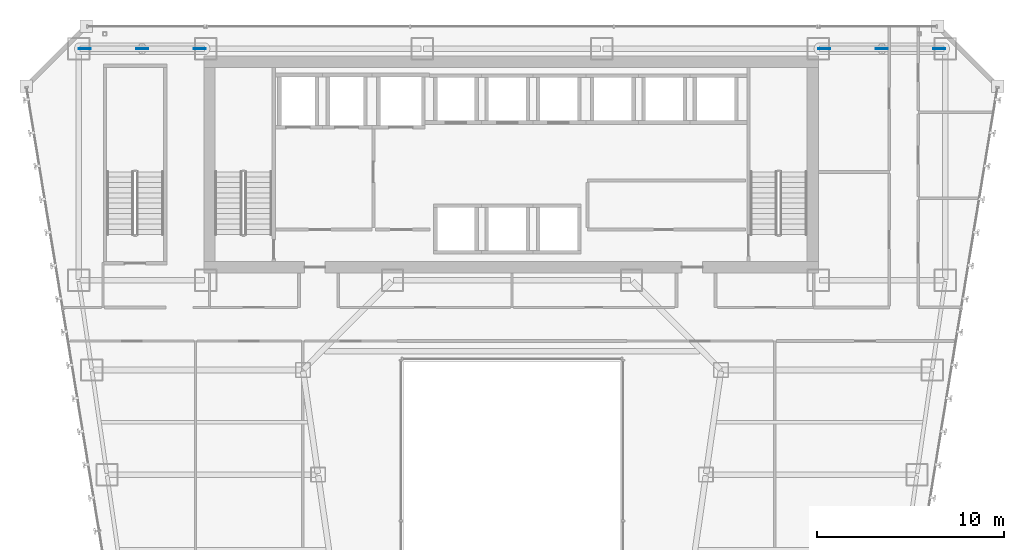
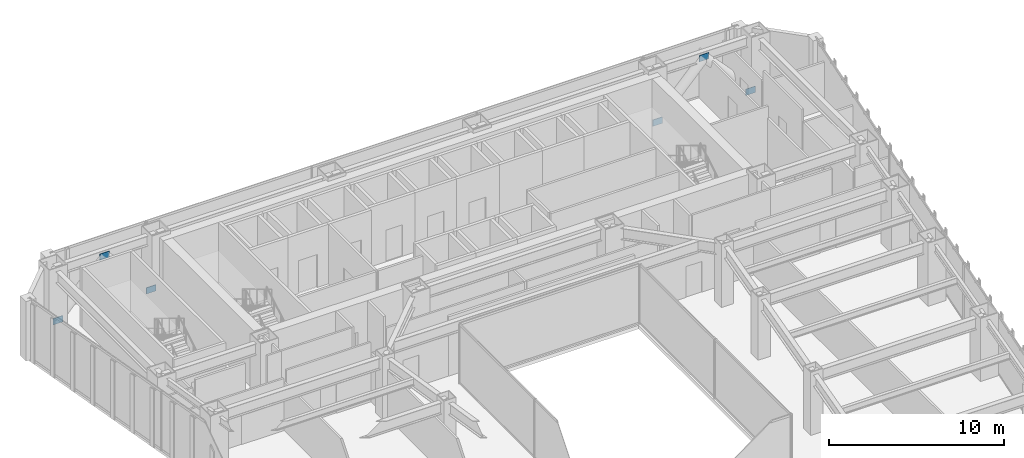
# One storey, part 35 of 47: 6 plates.
"""IFC4 building model written with IfcOpenShell, lengths in metres."""

from ifc_helpers import new_model, si_unit, direction, frame, origin, origin_2d, place, context, subcontext, project, spatial, rectangle, extrude, material, layer, layer_set, type_object, element, save


model = new_model("IFC4")

# Units and contexts
model_context = context("Model", 3, precision=1e-05, world=origin(), true_north=direction((0.0, 1.0)))
body_context = subcontext(model_context, "Body", "Model", "MODEL_VIEW")
ifc_project = project(units=[si_unit("LENGTHUNIT", "METRE"), si_unit("AREAUNIT", "SQUARE_METRE"), si_unit("VOLUMEUNIT", "CUBIC_METRE"), si_unit("PLANEANGLEUNIT", "RADIAN"), si_unit("MASSUNIT", "GRAM", prefix="KILO")], contexts=[model_context])

# Site, building, storey
site_placement = place(None, origin())
site = spatial("IfcSite", under=ifc_project, at=site_placement, CompositionType="ELEMENT")
building_placement = place(site_placement, origin())
building = spatial("IfcBuilding", under=site, at=building_placement, Name="Saevonmaru Cultural Tower", CompositionType="ELEMENT")
storey_placement = place(building_placement, frame((0.0, 0.0, 47.199951171875)))
storey = spatial("IfcBuildingStorey", under=building, at=storey_placement, Name="L09", CompositionType="ELEMENT", Elevation=47.199951171875)

# Plates
ifc_material = material(Name="Steel HSA600 (600 MPa)", Category="steel")
ifc_layer = layer(ifc_material, 0.0400390625, Name="Steel HSA600 (600 MPa)")
ifc_layer_set = layer_set([ifc_layer], Name="Steel HSA600 (600 MPa)")
plate_type = type_object("IfcPlateType", Name="PL-GUSSET-EXT", PredefinedType="USERDEFINED", material=ifc_layer_set)
for number, where, z_axis, x_axis, name in (
    (1, (10.199951171875, 54.800048828125, 3.4501953125), (0.0, 0.0, 1.0), (1.0, 0.0, 0.0), "L09 Perimeter Tube Gusset Plate"),
    (2, (7.1201171875, 54.800048828125, 0.02001953125), (0.0, 0.0, 1.0), (1.0, 0.0, 0.0), "L09 Perimeter Tube Gusset Plate"),
    (3, (13.280029296875, 54.800048828125, 0.02001953125), (0.0, 0.0, 1.0), (1.0, 0.0, 0.0), "L09 Perimeter Tube Gusset Plate"),
    (4, (49.800048828125, 54.800048828125, 3.4501953125), (0.0, 0.0, 1.0), (1.0, 0.0, 0.0), "L09 Perimeter Tube Gusset Plate"),
    (5, (46.719970703125, 54.800048828125, 0.02001953125), (0.0, 0.0, 1.0), (1.0, 0.0, 0.0), "L09 Perimeter Tube Gusset Plate"),
    (6, (52.8798828125, 54.800048828125, 0.02001953125), (0.0, 0.0, 1.0), (1.0, 0.0, 0.0), "L09 Perimeter Tube Gusset Plate"),
):
    element("IfcPlate", number, at=place(storey_placement, frame(where, z_axis=z_axis, x_axis=x_axis)), inside=storey, type_object=plate_type, Name=name, ObjectType="GUSSET_PLATE", PredefinedType="USERDEFINED", context=body_context, shape_type="SweptSolid", body=[
        extrude(rectangle(XDim=0.639892578125, YDim=0.0400390625, at=origin_2d()), origin(), (0.0, 0.0, 1.0), 0.43994140625),
    ])

save(model, "model.ifc")
